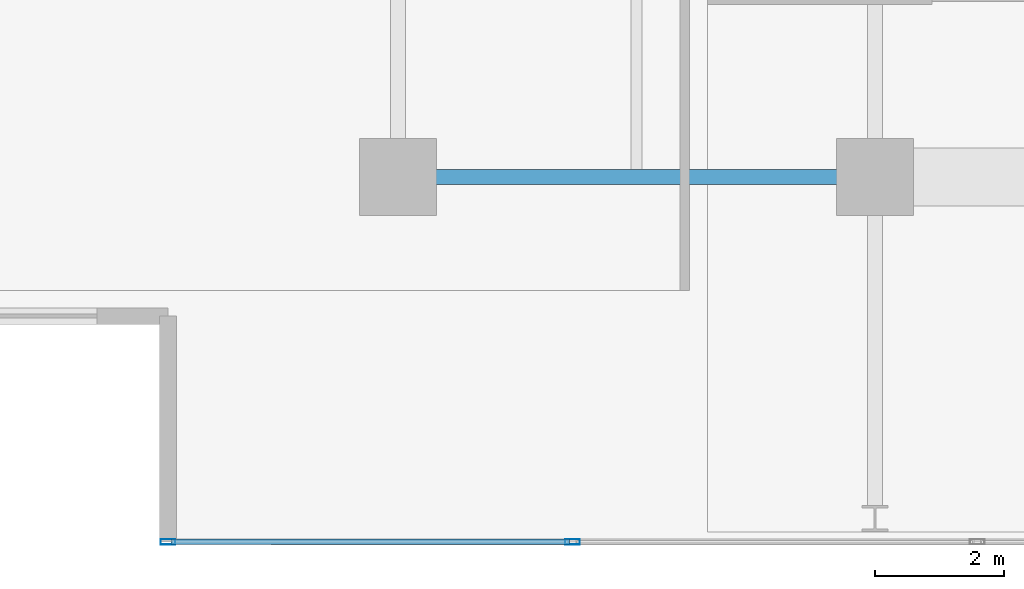
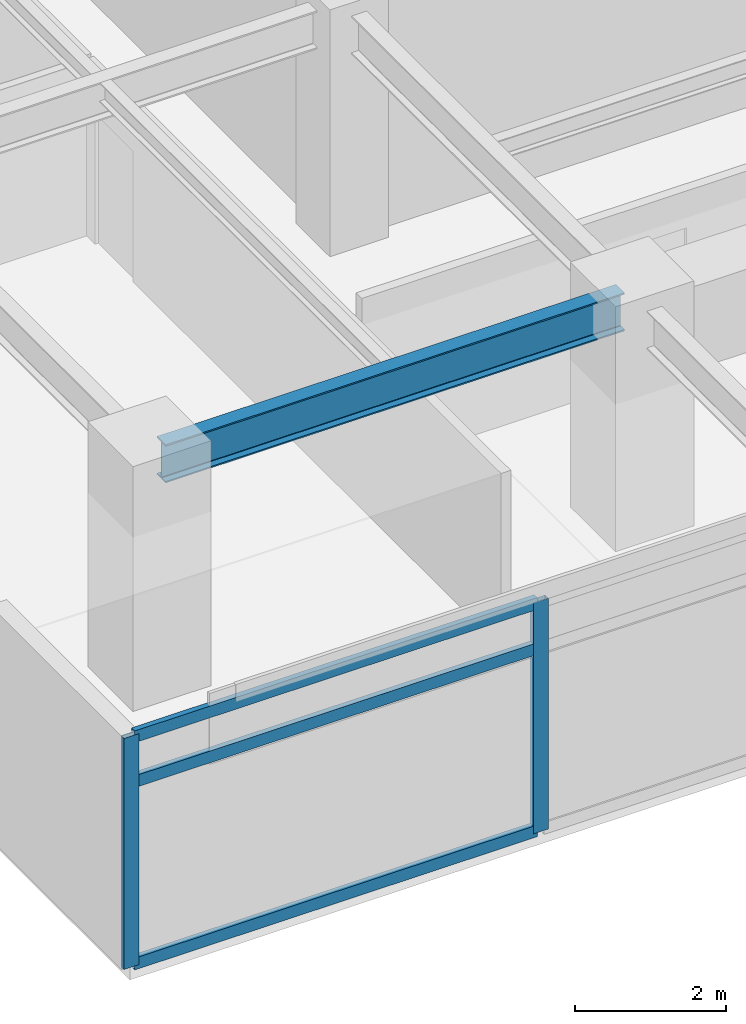
# One storey, part 2 of 21: 5 members, 1 beam, 1 element without a shape of its own.
"""IFC4 building model written with IfcOpenShell, lengths in metres."""

from ifc_helpers import new_model, si_unit, direction, frame, origin, origin_2d, place, context, subcontext, project, spatial, hollow_rectangle, i_section, extrude, material, material_profile, profile_set, type_object, element, aggregate, save


model = new_model("IFC4")

# Units and contexts
model_context = context("Model", 3, precision=1e-05, world=origin(), true_north=direction((0.0, 1.0)))
body_context = subcontext(model_context, "Body", "Model", "MODEL_VIEW")
ifc_project = project(units=[si_unit("LENGTHUNIT", "METRE"), si_unit("AREAUNIT", "SQUARE_METRE"), si_unit("VOLUMEUNIT", "CUBIC_METRE"), si_unit("PLANEANGLEUNIT", "RADIAN"), si_unit("MASSUNIT", "GRAM", prefix="KILO")], contexts=[model_context])

# Site, building, storey
site_placement = place(None, origin())
site = spatial("IfcSite", under=ifc_project, at=site_placement, CompositionType="ELEMENT")
building_placement = place(site_placement, origin())
building = spatial("IfcBuilding", under=site, at=building_placement, Name="Kovane Verandah Tower", CompositionType="ELEMENT")
storey_placement = place(building_placement, frame((0.0, 0.0, 275.199951171875)))
storey = spatial("IfcBuildingStorey", under=building, at=storey_placement, Name="L64", CompositionType="ELEMENT", Elevation=275.199951171875)

# Beam
ifc_material_1 = material(Name="Steel S355", Category="steel")
ifc_material_profile_1 = material_profile(ifc_material_1, i_section(OverallWidth=0.230224609375, OverallDepth=0.6171875, WebThickness=0.01318359375, FlangeThickness=0.022216796875, FilletRadius=0.0126953125, at=origin_2d()), Name="UB610x229x140")
ifc_profile_set_1 = profile_set([ifc_material_profile_1], Name="Steel S355")
beam_type = type_object("IfcBeamType", Name="BM-UB610x140", PredefinedType="BEAM", material=ifc_profile_set_1)
beam_placement = place(storey_placement, frame((21.780029296875, 10.800048828125, 3.4765625), z_axis=(1.0, 0.0, 0.0), x_axis=(0.0, 1.0, 0.0)))
element("IfcBeam", 1, at=beam_placement, inside=storey, type_object=beam_type, Name="L64 Primary Tower Girder G-RS1", PredefinedType="BEAM", context=body_context, shape_type="SweptSolid", body=[
    extrude(i_section(OverallWidth=0.230224609375, OverallDepth=0.6171875, WebThickness=0.01318359375, FlangeThickness=0.022216796875, FilletRadius=0.0126953125, at=origin_2d()), origin(), (0.0, 0.0, 1.0), 7.0400390625),
])

# Curtain wall, members
ifc_material_2 = material(Name="Champagne Anodised Aluminium Frame with Low-E Clear Laminated Glass", Category="aluminium")
curtain_wall_type = type_object("IfcCurtainWallType", Name="CW-SYS-05-HIGH", PredefinedType="NOTDEFINED", material=ifc_material_2)
curtain_wall_placement = place(storey_placement, origin())
curtain_wall = element("IfcCurtainWall", 2, at=curtain_wall_placement, inside=storey, type_object=curtain_wall_type, Name="L64 S Unitised Curtain Wall", PredefinedType="NOTDEFINED")
ifc_material_3 = material(Name="Champagne Anodised Aluminium 6063-T6", Category="aluminium")
ifc_material_profile_2 = material_profile(ifc_material_3, hollow_rectangle(XDim=0.0849609375, YDim=0.22998046875, WallThickness=0.00390625, at=origin_2d()), Name="AL85x230x4")
ifc_profile_set_2 = profile_set([ifc_material_profile_2], Name="Champagne Anodised Aluminium 6063-T6")
member_type_1 = type_object("IfcMemberType", Name="CW-MUL-85x230", PredefinedType="MULLION", material=ifc_profile_set_2)
member_1_placement = place(storey_placement, frame((18.03076171875, 5.139892578125, 0.02001953125), z_axis=(0.0, 0.0, 1.0), x_axis=(0.0, -1.0, 0.0)))
member_1 = element("IfcMember", 3, at=member_1_placement, type_object=member_type_1, Name="L64 S Unitised Curtain Wall Mullion 1", PredefinedType="MULLION", context=body_context, shape_type="SweptSolid", body=[
    extrude(hollow_rectangle(XDim=0.0849609375, YDim=0.22998046875, WallThickness=0.00390625, at=origin_2d()), origin(), (0.0, 0.0, 1.0), 3.7451171875),
])
member_2_placement = place(storey_placement, frame((24.3076171875, 5.139892578125, 0.02001953125), z_axis=(0.0, 0.0, 1.0), x_axis=(0.0, -1.0, 0.0)))
member_2 = element("IfcMember", 4, at=member_2_placement, type_object=member_type_1, Name="L64 S Unitised Curtain Wall Mullion 2", PredefinedType="MULLION", context=body_context, shape_type="SweptSolid", body=[
    extrude(hollow_rectangle(XDim=0.0849609375, YDim=0.22998046875, WallThickness=0.00390625, at=origin_2d()), origin(), (0.0, 0.0, 1.0), 3.7451171875),
])
ifc_material_profile_3 = material_profile(ifc_material_3, hollow_rectangle(XDim=0.0849609375, YDim=0.18994140625, WallThickness=0.00390625, at=origin_2d()), Name="AL85x190x4")
ifc_profile_set_3 = profile_set([ifc_material_profile_3], Name="Champagne Anodised Aluminium 6063-T6")
member_type_2 = type_object("IfcMemberType", Name="CW-TRN-85x190", PredefinedType="USERDEFINED", material=ifc_profile_set_3)
member_3_placement = place(storey_placement, frame((18.080810546875, 5.139892578125, 0.050048828125), z_axis=(1.0, 0.0, 0.0), x_axis=(0.0, 1.0, 0.0)))
member_3 = element("IfcMember", 5, at=member_3_placement, type_object=member_type_2, Name="L64 S Unitised Curtain Wall Transom TB Bay 1", ObjectType="TRANSOM", PredefinedType="USERDEFINED", context=body_context, shape_type="SweptSolid", body=[
    extrude(hollow_rectangle(XDim=0.0849609375, YDim=0.18994140625, WallThickness=0.00390625, at=origin_2d()), origin(), (0.0, 0.0, 1.0), 6.1767578125),
])
member_4_placement = place(storey_placement, frame((18.080810546875, 5.139892578125, 3.005126953125), z_axis=(1.0, 0.0, 0.0), x_axis=(0.0, 1.0, 0.0)))
member_4 = element("IfcMember", 6, at=member_4_placement, type_object=member_type_2, Name="L64 S Unitised Curtain Wall Transom TM Bay 1", ObjectType="TRANSOM", PredefinedType="USERDEFINED", context=body_context, shape_type="SweptSolid", body=[
    extrude(hollow_rectangle(XDim=0.0849609375, YDim=0.18994140625, WallThickness=0.00390625, at=origin_2d()), origin(), (0.0, 0.0, 1.0), 6.1767578125),
])
member_5_placement = place(storey_placement, frame((18.080810546875, 5.139892578125, 3.735107421875), z_axis=(1.0, 0.0, 0.0), x_axis=(0.0, 1.0, 0.0)))
member_5 = element("IfcMember", 7, at=member_5_placement, type_object=member_type_2, Name="L64 S Unitised Curtain Wall Transom TT Bay 1", ObjectType="TRANSOM", PredefinedType="USERDEFINED", context=body_context, shape_type="SweptSolid", body=[
    extrude(hollow_rectangle(XDim=0.0849609375, YDim=0.18994140625, WallThickness=0.00390625, at=origin_2d()), origin(), (0.0, 0.0, 1.0), 6.1767578125),
])
aggregate(curtain_wall, [member_1, member_2, member_3, member_4, member_5])

save(model, "model.ifc")
